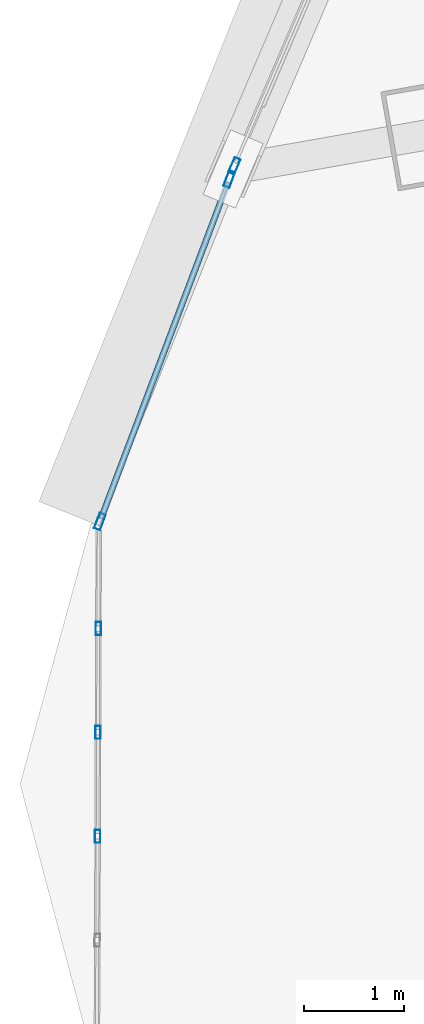
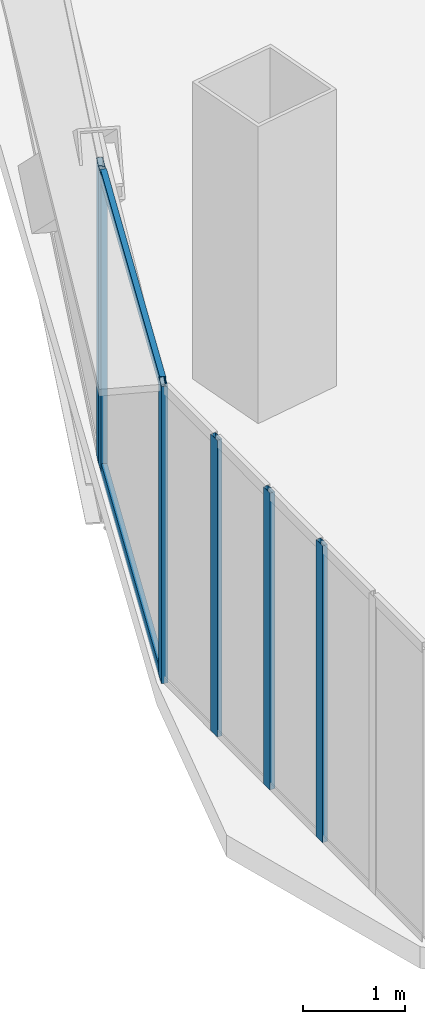
# One storey, part 4 of 39: 8 members, 3 elements without a shape of their own.
"""IFC4 building model written with IfcOpenShell, lengths in metres."""

from ifc_helpers import new_model, si_unit, direction, frame, origin, origin_2d, place, context, subcontext, project, spatial, hollow_rectangle, extrude, source, transform, mapped, material, layer, layer_set, material_profile, profile_set, type_object, element, aggregate, save


model = new_model("IFC4")

# Units and contexts
model_context = context("Model", 3, precision=1e-05, world=origin(), true_north=direction((0.0, 1.0)))
body_context = subcontext(model_context, "Body", "Model", "MODEL_VIEW")
ifc_project = project(units=[si_unit("LENGTHUNIT", "METRE"), si_unit("AREAUNIT", "SQUARE_METRE"), si_unit("VOLUMEUNIT", "CUBIC_METRE"), si_unit("PLANEANGLEUNIT", "RADIAN"), si_unit("MASSUNIT", "GRAM", prefix="KILO"), si_unit("THERMODYNAMICTEMPERATUREUNIT", "KELVIN"), si_unit("POWERUNIT", "WATT")], contexts=[model_context])

# Site, building, storey
site_placement = place(None, origin())
site = spatial("IfcSite", under=ifc_project, at=site_placement, CompositionType="ELEMENT")
building_placement = place(site_placement, origin())
building = spatial("IfcBuilding", under=site, at=building_placement, Name="Yunzhuo Pagoda Commons", CompositionType="ELEMENT")
storey_placement = place(building_placement, frame((0.0, 0.0, 92.580078125)))
storey = spatial("IfcBuildingStorey", under=building, at=storey_placement, Name="L23", CompositionType="ELEMENT", Elevation=92.580078125)

# Curtain wall, member
ifc_material = material(Name="Anodized aluminium 6063-T6", Category="aluminium")
ifc_layer_1 = layer(ifc_material, 0.1650390625)
ifc_layer_set_1 = layer_set([ifc_layer_1], Name="Anodized aluminium 6063-T6")
curtain_wall_type_1 = type_object("IfcCurtainWallType", Name="CW-LOW Low-Zone Ribbon Curtain Wall", PredefinedType="NOTDEFINED", material=ifc_layer_set_1)
curtain_wall_1_placement = place(storey_placement, origin())
curtain_wall_1 = element("IfcCurtainWall", 1, at=curtain_wall_1_placement, inside=storey, type_object=curtain_wall_type_1, Name="L23 curtain wall CW-L23-F3B4", PredefinedType="NOTDEFINED")
ifc_material_profile_1 = material_profile(ifc_material, hollow_rectangle(XDim=0.06494140625, YDim=0.1650390625, WallThickness=0.00390625, at=origin_2d()), Name="Anodized aluminium 6063-T6")
ifc_profile_set_1 = profile_set([ifc_material_profile_1], Name="Anodized aluminium 6063-T6")
member_type_1 = type_object("IfcMemberType", Name="CW-LOW-M Mullion RHS 165x65x4", PredefinedType="MULLION", material=ifc_profile_set_1)
shared_shape_1 = source(origin(), body_context, "Body", "SweptSolid", [
    extrude(hollow_rectangle(XDim=0.06494140625, YDim=0.1650390625, WallThickness=0.00390625, at=origin_2d()), origin(), (0.0, 0.0, 1.0), 3.5400390625),
])
member_1_placement = place(storey_placement, frame((7.60888671875, 26.60546875, 0.0), z_axis=(0.0, 0.0, 1.0), x_axis=(0.919382894415, -0.393363818185, 0.0)))
member_1 = element("IfcMember", 2, at=member_1_placement, type_object=member_type_1, Name="CW mullion 2", PredefinedType="MULLION", context=body_context, shape_type="MappedRepresentation", body=[
    mapped(shared_shape_1, transform((0.0, 0.0, 0.0), scale=1.0)),
])
aggregate(curtain_wall_1, [member_1])

# Curtain wall, members
curtain_wall_2_placement = place(storey_placement, origin())
curtain_wall_2 = element("IfcCurtainWall", 3, at=curtain_wall_2_placement, inside=storey, type_object=curtain_wall_type_1, Name="L23 curtain wall CW-L23-F3B5", PredefinedType="NOTDEFINED")
member_2_placement = place(storey_placement, frame((7.558349609375, 26.47509765625, 0.0), z_axis=(0.0, 0.0, 1.0), x_axis=(0.935454086355, -0.353448231461, 0.0)))
member_2 = element("IfcMember", 4, at=member_2_placement, type_object=member_type_1, Name="CW mullion 1", PredefinedType="MULLION", context=body_context, shape_type="MappedRepresentation", body=[
    mapped(shared_shape_1, transform((0.0, 0.0, 0.0), scale=1.0)),
])
member_3_placement = place(storey_placement, frame((6.268798828125, 23.062744140625, 0.0), z_axis=(0.0, 0.0, 1.0), x_axis=(0.935454086355, -0.353448231461, 0.0)))
member_3 = element("IfcMember", 5, at=member_3_placement, type_object=member_type_1, Name="CW mullion 2", PredefinedType="MULLION", context=body_context, shape_type="MappedRepresentation", body=[
    mapped(shared_shape_1, transform((0.0, 0.0, 0.0), scale=1.0)),
])
ifc_material_profile_2 = material_profile(ifc_material, hollow_rectangle(XDim=0.06005859375, YDim=0.139892578125, WallThickness=0.00341796875, at=origin_2d()), Name="Anodized aluminium 6063-T6")
ifc_profile_set_2 = profile_set([ifc_material_profile_2], Name="Anodized aluminium 6063-T6")
member_type_2 = type_object("IfcMemberType", Name="CW-LOW-T Transom RHS 140x60x3.5", PredefinedType="USERDEFINED", material=ifc_profile_set_2)
shared_shape_2 = source(origin(), body_context, "Body", "SweptSolid", [
    extrude(hollow_rectangle(XDim=0.06005859375, YDim=0.139892578125, WallThickness=0.00341796875, at=origin_2d()), origin(), (0.0, 0.0, 1.0), 3.582763671875),
])
member_4_placement = place(storey_placement, frame((7.546630859375, 26.444580078125, 0.030029296875), z_axis=(-0.353452248865, -0.935452568425, 0.0), x_axis=(0.935452568425, -0.353452248865, 0.0)))
member_4 = element("IfcMember", 6, at=member_4_placement, type_object=member_type_2, Name="CW transom 1.1", ObjectType="TRANSOM", PredefinedType="USERDEFINED", context=body_context, shape_type="MappedRepresentation", body=[
    mapped(shared_shape_2, transform((0.0, 0.0, 0.0), scale=1.0)),
])
member_5_placement = place(storey_placement, frame((7.546630859375, 26.444580078125, 3.510009765625), z_axis=(-0.353452248865, -0.935452568425, 0.0), x_axis=(0.935452568425, -0.353452248865, 0.0)))
member_5 = element("IfcMember", 7, at=member_5_placement, type_object=member_type_2, Name="CW transom 1.2", ObjectType="TRANSOM", PredefinedType="USERDEFINED", context=body_context, shape_type="MappedRepresentation", body=[
    mapped(shared_shape_2, transform((0.0, 0.0, 0.0), scale=1.0)),
])
aggregate(curtain_wall_2, [member_2, member_3, member_4, member_5])

ifc_layer_2 = layer(ifc_material, 0.1298828125)
ifc_layer_set_2 = layer_set([ifc_layer_2], Name="Anodized aluminium 6063-T6")
curtain_wall_type_2 = type_object("IfcCurtainWallType", Name="CW-VTX Rounded Corner Curtain Wall", PredefinedType="NOTDEFINED", material=ifc_layer_set_2)
curtain_wall_3_placement = place(storey_placement, origin())
curtain_wall_3 = element("IfcCurtainWall", 8, at=curtain_wall_3_placement, inside=storey, type_object=curtain_wall_type_2, Name="L23 curtain wall CW-L23-VTX1S1", PredefinedType="NOTDEFINED")
ifc_material_profile_3 = material_profile(ifc_material, hollow_rectangle(XDim=0.054931640625, YDim=0.1298828125, WallThickness=0.00341796875, at=origin_2d()), Name="Anodized aluminium 6063-T6")
ifc_profile_set_3 = profile_set([ifc_material_profile_3], Name="Anodized aluminium 6063-T6")
member_type_3 = type_object("IfcMemberType", Name="CW-VTX-M Mullion RHS 130x55x3.5", PredefinedType="MULLION", material=ifc_profile_set_3)
shared_shape_3 = source(origin(), body_context, "Body", "SweptSolid", [
    extrude(hollow_rectangle(XDim=0.054931640625, YDim=0.1298828125, WallThickness=0.00341796875, at=origin_2d()), origin(), (0.0, 0.0, 1.0), 3.5400390625),
])
member_6_placement = place(storey_placement, frame((6.253662109375, 21.996826171875, 0.0), z_axis=(0.0, 0.0, 1.0), x_axis=(0.999993616843, -0.003572992237, 0.0)))
member_6 = element("IfcMember", 9, at=member_6_placement, type_object=member_type_3, Name="CW mullion 2", PredefinedType="MULLION", context=body_context, shape_type="MappedRepresentation", body=[
    mapped(shared_shape_3, transform((0.0, 0.0, 0.0), scale=1.0)),
])
member_7_placement = place(storey_placement, frame((6.25, 20.961181640625, 0.0), z_axis=(0.0, 0.0, 1.0), x_axis=(0.999993616843, -0.003572992237, 0.0)))
member_7 = element("IfcMember", 10, at=member_7_placement, type_object=member_type_3, Name="CW mullion 3", PredefinedType="MULLION", context=body_context, shape_type="MappedRepresentation", body=[
    mapped(shared_shape_3, transform((0.0, 0.0, 0.0), scale=1.0)),
])
member_8_placement = place(storey_placement, frame((6.24609375, 19.92578125, 0.0), z_axis=(0.0, 0.0, 1.0), x_axis=(0.999993616843, -0.003572992237, 0.0)))
member_8 = element("IfcMember", 11, at=member_8_placement, type_object=member_type_3, Name="CW mullion 4", PredefinedType="MULLION", context=body_context, shape_type="MappedRepresentation", body=[
    mapped(shared_shape_3, transform((0.0, 0.0, 0.0), scale=1.0)),
])
aggregate(curtain_wall_3, [member_6, member_7, member_8])

save(model, "model.ifc")
